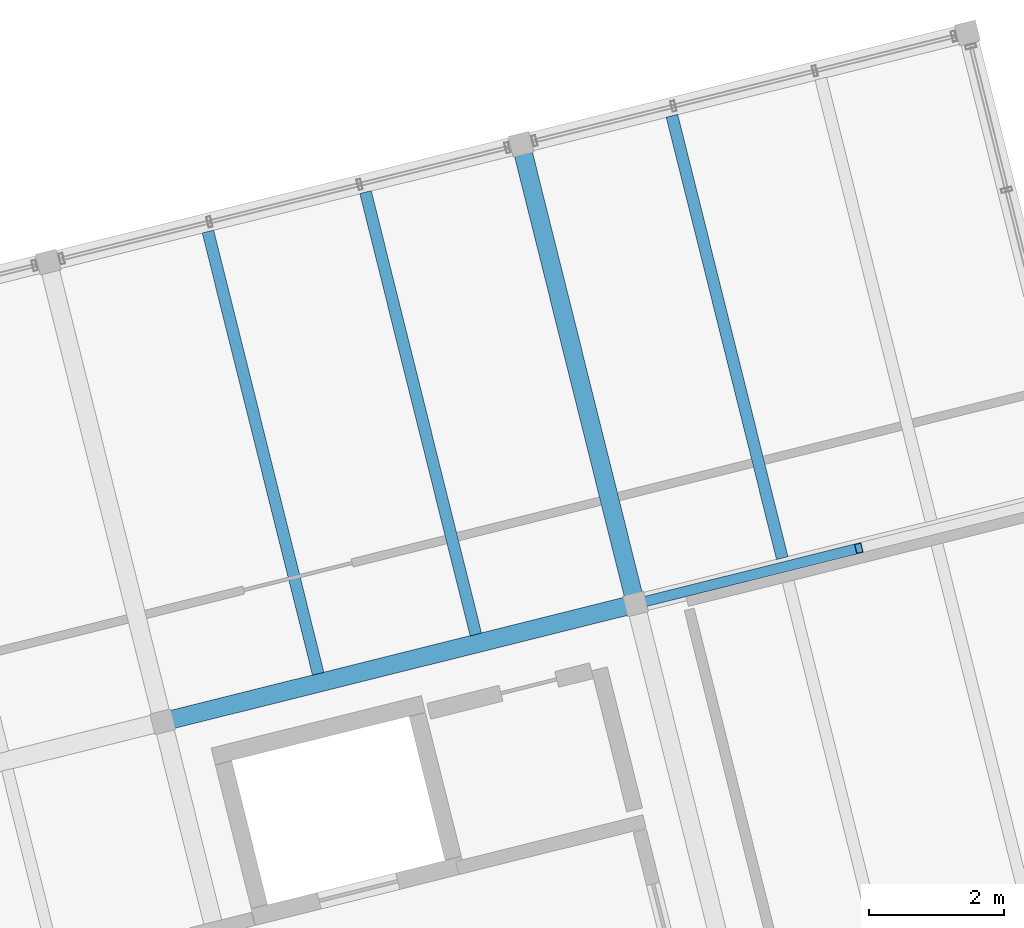
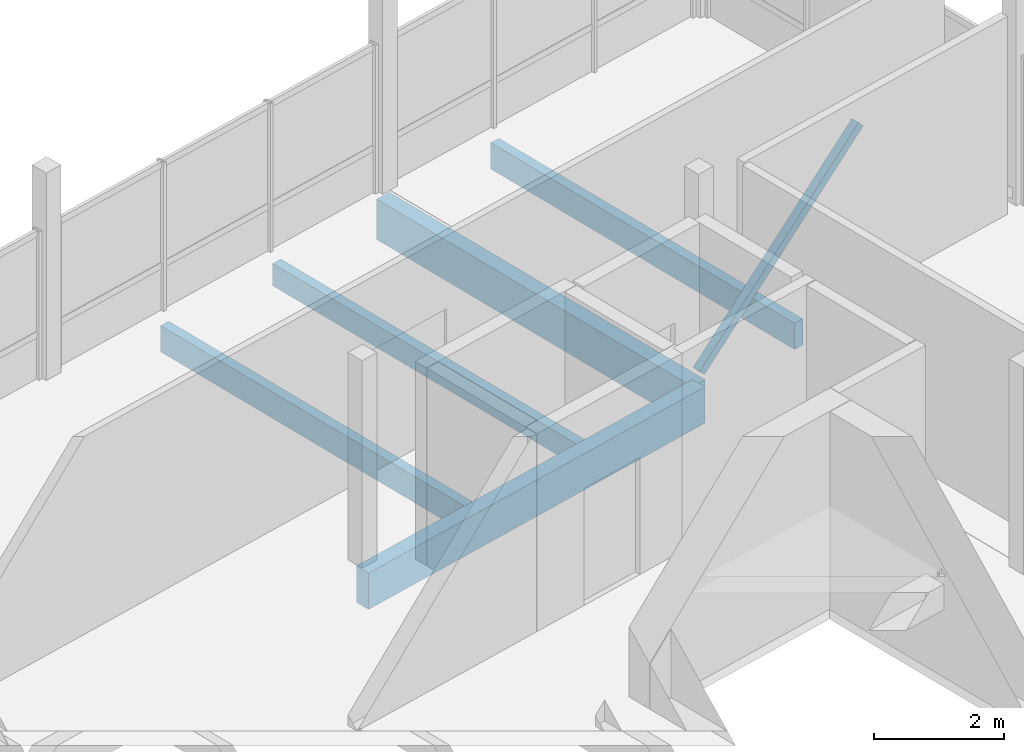
# One storey, part 15 of 25: 5 beams, 1 member.
"""IFC4 building model written with IfcOpenShell, lengths in metres."""

from ifc_helpers import new_model, si_unit, direction, frame, origin, origin_2d, place, context, subcontext, project, spatial, rectangle, hollow_rectangle, extrude, material, material_profile, profile_set, type_object, element, save


model = new_model("IFC4")

# Units and contexts
model_context = context("Model", 3, precision=1e-05, world=origin(), true_north=direction((0.0, 1.0)))
body_context = subcontext(model_context, "Body", "Model", "MODEL_VIEW")
ifc_project = project(units=[si_unit("LENGTHUNIT", "METRE"), si_unit("AREAUNIT", "SQUARE_METRE"), si_unit("VOLUMEUNIT", "CUBIC_METRE"), si_unit("PLANEANGLEUNIT", "RADIAN"), si_unit("MASSUNIT", "GRAM", prefix="KILO")], contexts=[model_context])

# Site, building, storey
site_placement = place(None, origin())
site = spatial("IfcSite", under=ifc_project, at=site_placement, CompositionType="ELEMENT")
building_placement = place(site_placement, origin())
building = spatial("IfcBuilding", under=site, at=building_placement, Name="Meriwether Solvik Hall", CompositionType="ELEMENT")
storey_placement = place(building_placement, frame((0.0, 0.0, 49.5)))
storey = spatial("IfcBuildingStorey", under=building, at=storey_placement, Name="L12", CompositionType="ELEMENT", Elevation=49.5)

# Beams
ifc_material_1 = material(Name="Glulam Douglas-Fir 24F-V8 GL28h", Category="wood")
ifc_material_profile_1 = material_profile(ifc_material_1, rectangle(XDim=0.27294921875, YDim=0.68505859375, at=origin_2d()), Name="GLB-273X685")
ifc_profile_set_1 = profile_set([ifc_material_profile_1], Name="Glulam Douglas-Fir 24F-V8 GL28h")
beam_type_1 = type_object("IfcBeamType", Name="BM-GL-273X685", PredefinedType="BEAM", material=ifc_profile_set_1)
beam_1_placement = place(storey_placement, frame((84.8662109375, 66.8984375, -0.5224609375), z_axis=(0.970291911955, 0.241937193493, 0.0), x_axis=(-0.241937193493, 0.970291911955, 0.0)))
element("IfcBeam", 1, at=beam_1_placement, inside=storey, type_object=beam_type_1, Name="Tower Girder TD:T4-T5 (L12)", PredefinedType="BEAM", context=body_context, shape_type="SweptSolid", body=[
    extrude(rectangle(XDim=0.27294921875, YDim=0.68505859375, at=origin_2d()), origin(), (0.0, 0.0, 1.0), 7.199951171875),
])
ifc_material_2 = material(Name="Glulam Douglas-Fir 24F-V8 GL28h", Category="wood")
ifc_material_profile_2 = material_profile(ifc_material_2, rectangle(XDim=0.27294921875, YDim=0.760009765625, at=origin_2d()), Name="GLB-273X760")
ifc_profile_set_2 = profile_set([ifc_material_profile_2], Name="Glulam Douglas-Fir 24F-V8 GL28h")
beam_type_2 = type_object("IfcBeamType", Name="BM-GL-273X760", PredefinedType="BEAM", material=ifc_profile_set_2)
beam_2_placement = place(storey_placement, frame((91.852294921875, 68.640380859375, -0.56005859375), z_axis=(-0.241911879182, 0.970298223594, 0.0), x_axis=(-0.970298223594, -0.241911879182, 0.0)))
element("IfcBeam", 2, at=beam_2_placement, inside=storey, type_object=beam_type_2, Name="Tower Girder T5:TD-TE (L12)", PredefinedType="BEAM", context=body_context, shape_type="SweptSolid", body=[
    extrude(rectangle(XDim=0.27294921875, YDim=0.760009765625, at=origin_2d()), origin(), (0.0, 0.0, 1.0), 7.0),
])
ifc_material_3 = material(Name="Glulam Douglas-Fir 24F-V8 GL28h", Category="wood")
ifc_material_profile_3 = material_profile(ifc_material_3, rectangle(XDim=0.175048828125, YDim=0.419921875, at=origin_2d()), Name="GLJ-175X420")
ifc_profile_set_3 = profile_set([ifc_material_profile_3], Name="Glulam Douglas-Fir 24F-V8 GL28h")
beam_type_3 = type_object("IfcBeamType", Name="JST-GL-175X420", PredefinedType="JOIST", material=ifc_profile_set_3)
beam_3_placement = place(storey_placement, frame((89.49169921875, 68.187255859375, -0.389892578125), z_axis=(-0.241930176813, 0.9702936615, 0.0), x_axis=(-0.9702936615, -0.241930176813, 0.0)))
element("IfcBeam", 3, at=beam_3_placement, inside=storey, type_object=beam_type_3, Name="Glulam Floor Joist T4/TD-J2 (L12)", PredefinedType="JOIST", context=body_context, shape_type="SweptSolid", body=[
    extrude(rectangle(XDim=0.175048828125, YDim=0.419921875, at=origin_2d()), origin(), (0.0, 0.0, 1.0), 6.737060546875),
])
ifc_material_4 = material(Name="Glulam Douglas-Fir 24F-V8 GL28h", Category="wood")
ifc_material_profile_4 = material_profile(ifc_material_4, rectangle(XDim=0.175048828125, YDim=0.4951171875, at=origin_2d()), Name="GLJ-175X495")
ifc_profile_set_4 = profile_set([ifc_material_profile_4], Name="Glulam Douglas-Fir 24F-V8 GL28h")
beam_type_4 = type_object("IfcBeamType", Name="JST-GL-175X495", PredefinedType="JOIST", material=ifc_profile_set_4)
for number, where, z_axis, x_axis, name in (
    (4, (87.1630859375, 67.606689453125, -0.427490234375), (-0.241930176813, 0.9702936615, 0.0), (-0.9702936615, -0.241930176813, 0.0), "Glulam Floor Joist T4/TD-J1 (L12)"),
    (5, (94.019775390625, 69.31640625, -0.427490234375), (-0.241930176813, 0.9702936615, 0.0), (-0.9702936615, -0.241930176813, 0.0), "Glulam Floor Joist T5/TD-J1 (L12)"),
):
    element("IfcBeam", number, at=place(storey_placement, frame(where, z_axis=z_axis, x_axis=x_axis)), inside=storey, type_object=beam_type_4, Name=name, PredefinedType="JOIST", context=body_context, shape_type="SweptSolid", body=[
        extrude(rectangle(XDim=0.175048828125, YDim=0.4951171875, at=origin_2d()), origin(), (0.0, 0.0, 1.0), 6.737060546875),
    ])

# Member
ifc_material_5 = material(Name="Steel A500 Grade C", Category="steel")
ifc_material_profile_5 = material_profile(ifc_material_5, hollow_rectangle(XDim=0.152099609375, YDim=0.152099609375, WallThickness=0.009521484375, at=origin_2d()), Name="HSS152X152X9.5")
ifc_profile_set_5 = profile_set([ifc_material_profile_5], Name="Steel A500 Grade C")
member_type = type_object("IfcMemberType", Name="MEM-BR-HSS152", PredefinedType="BRACE", material=ifc_profile_set_5)
member_placement = place(storey_placement, frame((91.852294921875, 68.640380859375, 0.050048828125), z_axis=(0.724931924359, 0.180736746331, 0.664686342248), x_axis=(-0.24191045034, 0.970298579828, 0.0)))
element("IfcMember", 6, at=member_placement, inside=storey, type_object=member_type, Name="Tower Chevron Brace L12-B4A", PredefinedType="BRACE", context=body_context, shape_type="SweptSolid", body=[
    extrude(hollow_rectangle(XDim=0.152099609375, YDim=0.152099609375, WallThickness=0.009521484375, at=origin_2d()), origin(), (0.0, 0.0, 1.0), 4.55078125),
])

save(model, "model.ifc")
